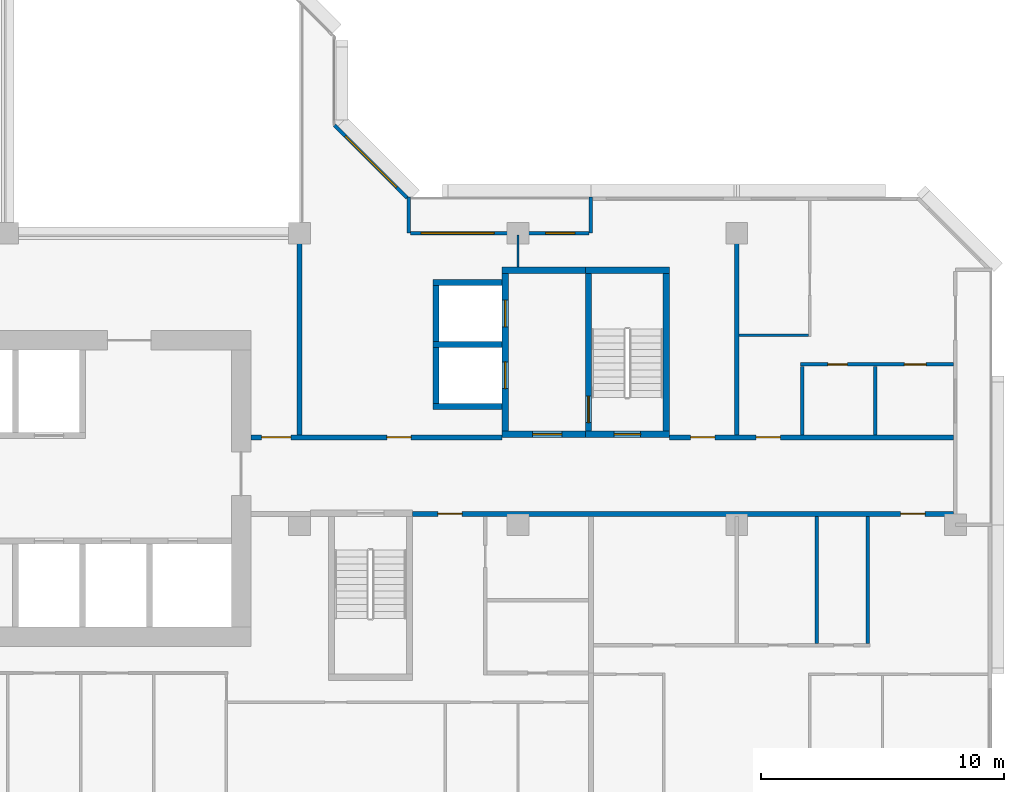
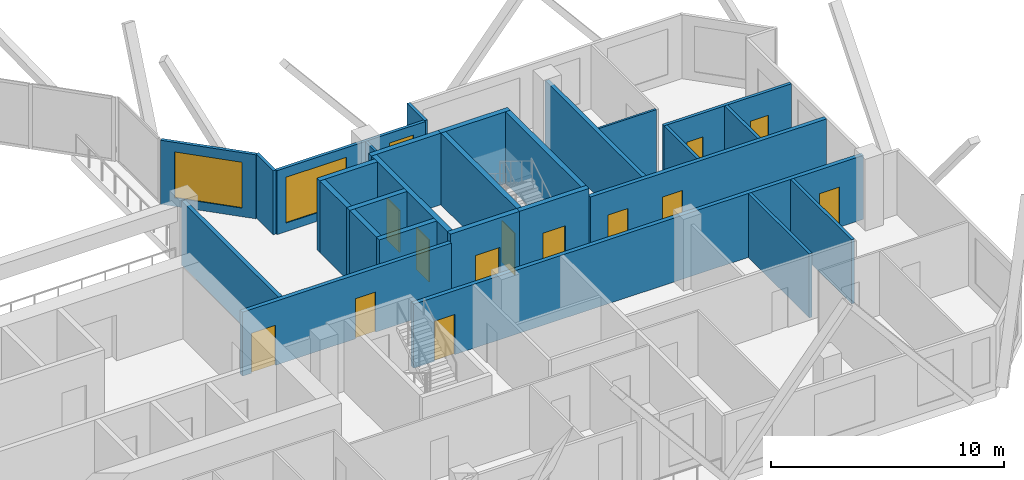
# One storey, part 7 of 14: 28 walls, 13 doors, 3 windows, 16 openings.
"""IFC4 building model written with IfcOpenShell, lengths in metres."""

from ifc_helpers import new_model, si_unit, direction, frame, frame_2d, origin, place, context, subcontext, project, spatial, rectangle, extrude, material, layer, layer_set, type_object, element, fill, save


model = new_model("IFC4")

# Units and contexts
model_context = context("Model", 3, precision=1e-05, world=origin(), true_north=direction((0.0, 1.0)))
body_context = subcontext(model_context, "Body", "Model", "MODEL_VIEW")
ifc_project = project(units=[si_unit("LENGTHUNIT", "METRE"), si_unit("AREAUNIT", "SQUARE_METRE"), si_unit("VOLUMEUNIT", "CUBIC_METRE"), si_unit("PLANEANGLEUNIT", "RADIAN"), si_unit("MASSUNIT", "GRAM", prefix="KILO")], contexts=[model_context])

# Site, building, storey
site_placement = place(None, origin())
site = spatial("IfcSite", under=ifc_project, at=site_placement, CompositionType="ELEMENT")
building_placement = place(site_placement, origin())
building = spatial("IfcBuilding", under=site, at=building_placement, Name="Chenar Terraces", CompositionType="ELEMENT")
storey_placement = place(building_placement, frame((0.0, 0.0, 179.89990234375)))
storey = spatial("IfcBuildingStorey", under=building, at=storey_placement, Name="L41", CompositionType="ELEMENT", Elevation=179.89990234375)

# Wall, opening, door
ifc_material_1 = material(Name="Concrete C60/75", Category="concrete")
ifc_layer_1 = layer(ifc_material_1, 0.25)
ifc_layer_set_1 = layer_set([ifc_layer_1], Name="Concrete C60/75")
wall_type_1 = type_object("IfcWallType", Name="Core wall 250 Concrete C60/75", PredefinedType="SHEAR", material=ifc_layer_set_1)
wall_1_placement = place(storey_placement, frame((47.77490234375, 15.72509765625, 0.0), z_axis=(0.0, 0.0, 1.0), x_axis=(1.0, 0.0, 0.0)))
wall_1 = element("IfcWall", 1, at=wall_1_placement, inside=storey, type_object=wall_type_1, Name="Core wall ST3_S L41", PredefinedType="SHEAR", context=body_context, shape_type="SweptSolid", body=[
    extrude(rectangle(XDim=3.4501953125, YDim=0.25, at=frame_2d((1.72509765625, 0.0))), origin(), (0.0, 0.0, 1.0), 3.75),
])
opening_1_placement = place(wall_1_placement, frame((1.175048828125, 0.0, 0.0)))
opening_1 = element("IfcOpeningElement", 2, at=opening_1_placement, cuts=wall_1, Name="Opening DL41-C8", PredefinedType="OPENING", context=body_context, shape_type="SweptSolid", body=[
    extrude(rectangle(XDim=1.10009765625, YDim=2.199951171875, at=frame_2d((0.550048828125, 1.10009765625))), frame((0.0, 0.135009765625, 0.0), z_axis=(0.0, -1.0, 0.0), x_axis=(1.0, 0.0, 0.0)), (0.0, 0.0, 1.0), 0.27001953125),
])
ifc_material_2 = material(Name="Steel-framed fire-resisting door leaf", Category="steel")
door_type_1 = type_object("IfcDoorType", Name="Stair fire door FD60 1100 x 2200", OperationType="SINGLE_SWING_LEFT", PredefinedType="DOOR", material=ifc_material_2)
door_1_placement = place(opening_1_placement, frame((1.10009765625, 0.0, 0.0), z_axis=(0.0, 0.0, 1.0), x_axis=(-1.0, 0.0, 0.0)))
door_1 = element("IfcDoor", 3, at=door_1_placement, inside=storey, type_object=door_type_1, Name="Stair door DL41-C8", OperationType="SINGLE_SWING_LEFT", OverallHeight=2.199951171875, OverallWidth=1.10009765625, PredefinedType="DOOR", context=body_context, shape_type="SweptSolid", body=[
    extrude(rectangle(XDim=1.10009765625, YDim=2.199951171875, at=frame_2d((0.550048828125, 1.10009765625))), frame((0.0, 0.02490234375, 0.0), z_axis=(0.0, -1.0, 0.0), x_axis=(1.0, 0.0, 0.0)), (0.0, 0.0, 1.0), 0.050048828125),
])
fill(opening_1, door_1)

# Wall
wall_2_placement = place(storey_placement, frame((47.77490234375, 22.47509765625, 0.0), z_axis=(0.0, 0.0, 1.0), x_axis=(1.0, 0.0, 0.0)))
element("IfcWall", 4, at=wall_2_placement, inside=storey, type_object=wall_type_1, Name="Core wall ST3_N L41", PredefinedType="SHEAR", context=body_context, shape_type="SweptSolid", body=[
    extrude(rectangle(XDim=3.4501953125, YDim=0.25, at=frame_2d((1.72509765625, 0.0))), origin(), (0.0, 0.0, 1.0), 3.75),
])

# Wall, opening, door
wall_3_placement = place(storey_placement, frame((47.89990234375, 15.85009765625, 0.0), z_axis=(0.0, 0.0, 1.0), x_axis=(0.0, 1.0, 0.0)))
wall_3 = element("IfcWall", 5, at=wall_3_placement, inside=storey, type_object=wall_type_1, Name="Core wall ST3_W L41", PredefinedType="SHEAR", context=body_context, shape_type="SweptSolid", body=[
    extrude(rectangle(XDim=6.5, YDim=0.25, at=frame_2d((3.25, 0.0))), origin(), (0.0, 0.0, 1.0), 3.75),
])
opening_2_placement = place(wall_3_placement, frame((0.35009765625, 0.0, 0.0)))
opening_2 = element("IfcOpeningElement", 6, at=opening_2_placement, cuts=wall_3, Name="Opening DL41-C11", PredefinedType="OPENING", context=body_context, shape_type="SweptSolid", body=[
    extrude(rectangle(XDim=1.10009765625, YDim=2.199951171875, at=frame_2d((0.550048828125, 1.10009765625))), frame((0.0, 0.135009765625, 0.0), z_axis=(0.0, -1.0, 0.0), x_axis=(1.0, 0.0, 0.0)), (0.0, 0.0, 1.0), 0.27001953125),
])
door_2_placement = place(opening_2_placement, frame((1.10009765625, 0.0, 0.0), z_axis=(0.0, 0.0, 1.0), x_axis=(-1.0, 0.0, 0.0)))
door_2 = element("IfcDoor", 7, at=door_2_placement, inside=storey, type_object=door_type_1, Name="Stair door DL41-C11", OperationType="SINGLE_SWING_RIGHT", OverallHeight=2.199951171875, OverallWidth=1.10009765625, PredefinedType="DOOR", context=body_context, shape_type="SweptSolid", body=[
    extrude(rectangle(XDim=1.10009765625, YDim=2.199951171875, at=frame_2d((0.550048828125, 1.10009765625))), frame((0.0, 0.02490234375, 0.0), z_axis=(0.0, -1.0, 0.0), x_axis=(1.0, 0.0, 0.0)), (0.0, 0.0, 1.0), 0.050048828125),
])
fill(opening_2, door_2)

# Wall
wall_4_placement = place(storey_placement, frame((51.10009765625, 15.85009765625, 0.0), z_axis=(0.0, 0.0, 1.0), x_axis=(0.0, 1.0, 0.0)))
element("IfcWall", 8, at=wall_4_placement, inside=storey, type_object=wall_type_1, Name="Core wall ST3_E L41", PredefinedType="SHEAR", context=body_context, shape_type="SweptSolid", body=[
    extrude(rectangle(XDim=6.5, YDim=0.25, at=frame_2d((3.25, 0.0))), origin(), (0.0, 0.0, 1.0), 3.75),
])

# Wall, opening, door
wall_5_placement = place(storey_placement, frame((44.35009765625, 15.72509765625, 0.0), z_axis=(0.0, 0.0, 1.0), x_axis=(1.0, 0.0, 0.0)))
wall_5 = element("IfcWall", 9, at=wall_5_placement, inside=storey, type_object=wall_type_1, Name="Core wall F3_LS L41", PredefinedType="SHEAR", context=body_context, shape_type="SweptSolid", body=[
    extrude(rectangle(XDim=3.4248046875, YDim=0.25, at=frame_2d((1.71240234375, 0.0))), origin(), (0.0, 0.0, 1.0), 3.75),
])
opening_3_placement = place(wall_5_placement, frame((1.25, 0.0, 0.0)))
opening_3 = element("IfcOpeningElement", 10, at=opening_3_placement, cuts=wall_5, Name="Opening DL41-C10", PredefinedType="OPENING", context=body_context, shape_type="SweptSolid", body=[
    extrude(rectangle(XDim=1.199951171875, YDim=2.199951171875, at=frame_2d((0.60009765625, 1.10009765625))), frame((0.0, 0.135009765625, 0.0), z_axis=(0.0, -1.0, 0.0), x_axis=(1.0, 0.0, 0.0)), (0.0, 0.0, 1.0), 0.27001953125),
])
ifc_material_3 = material(Name="Steel-framed fire-resisting door leaf", Category="steel")
door_type_2 = type_object("IfcDoorType", Name="Lobby fire door FD60 1200 x 2200", OperationType="SINGLE_SWING_LEFT", PredefinedType="DOOR", material=ifc_material_3)
door_3_placement = place(opening_3_placement, origin())
door_3 = element("IfcDoor", 11, at=door_3_placement, inside=storey, type_object=door_type_2, Name="Core door DL41-C10", OperationType="SINGLE_SWING_RIGHT", OverallHeight=2.199951171875, OverallWidth=1.199951171875, PredefinedType="DOOR", context=body_context, shape_type="SweptSolid", body=[
    extrude(rectangle(XDim=1.199951171875, YDim=2.199951171875, at=frame_2d((0.60009765625, 1.10009765625))), frame((0.0, 0.02490234375, 0.0), z_axis=(0.0, -1.0, 0.0), x_axis=(1.0, 0.0, 0.0)), (0.0, 0.0, 1.0), 0.050048828125),
])
fill(opening_3, door_3)

# Wall
wall_6_placement = place(storey_placement, frame((44.35009765625, 22.47509765625, 0.0), z_axis=(0.0, 0.0, 1.0), x_axis=(1.0, 0.0, 0.0)))
element("IfcWall", 12, at=wall_6_placement, inside=storey, type_object=wall_type_1, Name="Core wall F3_LN L41", PredefinedType="SHEAR", context=body_context, shape_type="SweptSolid", body=[
    extrude(rectangle(XDim=3.4248046875, YDim=0.25, at=frame_2d((1.71240234375, 0.0))), origin(), (0.0, 0.0, 1.0), 3.75),
])

# Wall, openings, doors
wall_7_placement = place(storey_placement, frame((44.47509765625, 15.85009765625, 0.0), z_axis=(0.0, 0.0, 1.0), x_axis=(0.0, 1.0, 0.0)))
wall_7 = element("IfcWall", 13, at=wall_7_placement, inside=storey, type_object=wall_type_1, Name="Core wall F3_LW L41", PredefinedType="SHEAR", context=body_context, shape_type="SweptSolid", body=[
    extrude(rectangle(XDim=6.5, YDim=0.25, at=frame_2d((3.25, 0.0))), origin(), (0.0, 0.0, 1.0), 3.75),
])
opening_4_placement = place(wall_7_placement, frame((1.75, 0.0, 0.0)))
opening_4 = element("IfcOpeningElement", 14, at=opening_4_placement, cuts=wall_7, Name="Opening DL41-LD8", PredefinedType="OPENING", context=body_context, shape_type="SweptSolid", body=[
    extrude(rectangle(XDim=1.10009765625, YDim=2.199951171875, at=frame_2d((0.550048828125, 1.10009765625))), frame((0.0, 0.135009765625, 0.0), z_axis=(0.0, -1.0, 0.0), x_axis=(1.0, 0.0, 0.0)), (0.0, 0.0, 1.0), 0.27001953125),
])
opening_5_placement = place(wall_7_placement, frame((4.300048828125, 0.0, 0.0)))
opening_5 = element("IfcOpeningElement", 15, at=opening_5_placement, cuts=wall_7, Name="Opening DL41-LD9", PredefinedType="OPENING", context=body_context, shape_type="SweptSolid", body=[
    extrude(rectangle(XDim=1.10009765625, YDim=2.199951171875, at=frame_2d((0.550048828125, 1.10009765625))), frame((0.0, 0.135009765625, 0.0), z_axis=(0.0, -1.0, 0.0), x_axis=(1.0, 0.0, 0.0)), (0.0, 0.0, 1.0), 0.27001953125),
])
ifc_material_4 = material(Name="Stainless steel", Category="steel")
door_type_3 = type_object("IfcDoorType", Name="Lift landing door 1100 x 2200 sliding", OperationType="DOUBLE_DOOR_SLIDING", PredefinedType="DOOR", material=ifc_material_4)
door_4_placement = place(opening_4_placement, origin())
door_4 = element("IfcDoor", 16, at=door_4_placement, inside=storey, type_object=door_type_3, Name="Landing door F3", OperationType="DOUBLE_DOOR_SLIDING", OverallHeight=2.199951171875, OverallWidth=1.10009765625, PredefinedType="DOOR", context=body_context, shape_type="SweptSolid", body=[
    extrude(rectangle(XDim=1.10009765625, YDim=2.199951171875, at=frame_2d((0.550048828125, 1.10009765625))), frame((0.0, 0.02490234375, 0.0), z_axis=(0.0, -1.0, 0.0), x_axis=(1.0, 0.0, 0.0)), (0.0, 0.0, 1.0), 0.050048828125),
])
fill(opening_4, door_4)
door_5_placement = place(opening_5_placement, origin())
door_5 = element("IfcDoor", 17, at=door_5_placement, inside=storey, type_object=door_type_3, Name="Landing door F4", OperationType="DOUBLE_DOOR_SLIDING", OverallHeight=2.199951171875, OverallWidth=1.10009765625, PredefinedType="DOOR", context=body_context, shape_type="SweptSolid", body=[
    extrude(rectangle(XDim=1.10009765625, YDim=2.199951171875, at=frame_2d((0.550048828125, 1.10009765625))), frame((0.0, 0.02490234375, 0.0), z_axis=(0.0, -1.0, 0.0), x_axis=(1.0, 0.0, 0.0)), (0.0, 0.0, 1.0), 0.050048828125),
])
fill(opening_5, door_5)

# Walls
for number, where, z_axis, x_axis, name in (
    (18, (41.5, 16.875, 0.0), (0.0, 0.0, 1.0), (1.0, 0.0, 0.0), "Core wall F3_SS L41"),
    (19, (41.5, 19.425048828125, 0.0), (0.0, 0.0, 1.0), (1.0, 0.0, 0.0), "Core wall F3_SM L41"),
    (20, (41.5, 21.97509765625, 0.0), (0.0, 0.0, 1.0), (1.0, 0.0, 0.0), "Core wall F4_SN L41"),
):
    element("IfcWall", number, at=place(storey_placement, frame(where, z_axis=z_axis, x_axis=x_axis)), inside=storey, type_object=wall_type_1, Name=name, PredefinedType="SHEAR", context=body_context, shape_type="SweptSolid", body=[
        extrude(rectangle(XDim=2.85009765625, YDim=0.25, at=frame_2d((1.425048828125, 0.0))), origin(), (0.0, 0.0, 1.0), 3.75),
    ])
for number, where, z_axis, x_axis, name in (
    (21, (41.625, 17.0, 0.0), (0.0, 0.0, 1.0), (0.0, 1.0, 0.0), "Core wall F3_SW L41"),
    (22, (41.625, 19.550048828125, 0.0), (0.0, 0.0, 1.0), (0.0, 1.0, 0.0), "Core wall F4_SW L41"),
):
    element("IfcWall", number, at=place(storey_placement, frame(where, z_axis=z_axis, x_axis=x_axis)), inside=storey, type_object=wall_type_1, Name=name, PredefinedType="SHEAR", context=body_context, shape_type="SweptSolid", body=[
        extrude(rectangle(XDim=2.300048828125, YDim=0.25, at=frame_2d((1.14990234375, 0.0))), origin(), (0.0, 0.0, 1.0), 3.75),
    ])

# Wall, openings, doors
ifc_material_5 = material(Name="Gypsum board on steel studs with fire boards", Category="steel")
ifc_layer_2 = layer(ifc_material_5, 0.199951171875)
ifc_layer_set_2 = layer_set([ifc_layer_2], Name="Gypsum board on steel studs with fire boards")
wall_type_2 = type_object("IfcWallType", Name="Corridor wall 200", PredefinedType="PARTITIONING", material=ifc_layer_set_2)
wall_8_placement = place(storey_placement, frame((34.0, 15.60009765625, 0.0), z_axis=(0.0, 0.0, 1.0), x_axis=(1.0, 0.0, 0.0)))
wall_8 = element("IfcWall", 23, at=wall_8_placement, inside=storey, type_object=wall_type_2, Name="Partition L41-060", PredefinedType="PARTITIONING", context=body_context, shape_type="SweptSolid", body=[
    extrude(rectangle(XDim=10.35009765625, YDim=0.199951171875, at=frame_2d((5.175048828125, 0.0))), origin(), (0.0, 0.0, 1.0), 3.35009765625),
])
opening_6_placement = place(wall_8_placement, frame((5.60009765625, 0.0, 0.0)))
opening_6 = element("IfcOpeningElement", 24, at=opening_6_placement, cuts=wall_8, Name="Opening DL41-3", PredefinedType="OPENING", context=body_context, shape_type="SweptSolid", body=[
    extrude(rectangle(XDim=1.0, YDim=2.10009765625, at=frame_2d((0.5, 1.050048828125))), frame((0.0, 0.10986328125, 0.0), z_axis=(0.0, -1.0, 0.0), x_axis=(1.0, 0.0, 0.0)), (0.0, 0.0, 1.0), 0.219970703125),
])
opening_7_placement = place(wall_8_placement, frame((0.449951171875, 0.0, 0.0)))
opening_7 = element("IfcOpeningElement", 25, at=opening_7_placement, cuts=wall_8, Name="Opening DL41-34", PredefinedType="OPENING", context=body_context, shape_type="SweptSolid", body=[
    extrude(rectangle(XDim=1.199951171875, YDim=2.10009765625, at=frame_2d((0.60009765625, 1.050048828125))), frame((0.0, 0.10986328125, 0.0), z_axis=(0.0, -1.0, 0.0), x_axis=(1.0, 0.0, 0.0)), (0.0, 0.0, 1.0), 0.219970703125),
])
ifc_material_6 = material(Name="Steel-framed fire-resisting door leaf", Category="steel")
door_type_4 = type_object("IfcDoorType", Name="Fire door FD60 1000 x 2100", OperationType="SINGLE_SWING_LEFT", PredefinedType="DOOR", material=ifc_material_6)
door_6_placement = place(opening_6_placement, origin())
door_6 = element("IfcDoor", 26, at=door_6_placement, inside=storey, type_object=door_type_4, Name="Door DL41-3", OperationType="SINGLE_SWING_RIGHT", OverallHeight=2.10009765625, OverallWidth=1.0, PredefinedType="DOOR", context=body_context, shape_type="SweptSolid", body=[
    extrude(rectangle(XDim=1.0, YDim=2.10009765625, at=frame_2d((0.5, 1.050048828125))), frame((0.0, 0.02490234375, 0.0), z_axis=(0.0, -1.0, 0.0), x_axis=(1.0, 0.0, 0.0)), (0.0, 0.0, 1.0), 0.050048828125),
])
fill(opening_6, door_6)
ifc_material_7 = material(Name="Steel-framed fire-resisting door leaf", Category="steel")
door_type_5 = type_object("IfcDoorType", Name="Fire door FD60 1200 x 2100", OperationType="SINGLE_SWING_LEFT", PredefinedType="DOOR", material=ifc_material_7)
door_7_placement = place(opening_7_placement, origin())
door_7 = element("IfcDoor", 27, at=door_7_placement, inside=storey, type_object=door_type_5, Name="Door DL41-34", OperationType="SINGLE_SWING_RIGHT", OverallHeight=2.10009765625, OverallWidth=1.199951171875, PredefinedType="DOOR", context=body_context, shape_type="SweptSolid", body=[
    extrude(rectangle(XDim=1.199951171875, YDim=2.10009765625, at=frame_2d((0.60009765625, 1.050048828125))), frame((0.0, 0.02490234375, 0.0), z_axis=(0.0, -1.0, 0.0), x_axis=(1.0, 0.0, 0.0)), (0.0, 0.0, 1.0), 0.050048828125),
])
fill(opening_7, door_7)

# Wall
wall_9_placement = place(storey_placement, frame((36.0, 15.699951171875, 0.0), z_axis=(0.0, 0.0, 1.0), x_axis=(0.0, 1.0, 0.0)))
element("IfcWall", 28, at=wall_9_placement, inside=storey, type_object=wall_type_2, Name="Partition L41-061", PredefinedType="PARTITIONING", context=body_context, shape_type="SweptSolid", body=[
    extrude(rectangle(XDim=8.300048828125, YDim=0.199951171875, at=frame_2d((4.14990234375, 0.0))), origin(), (0.0, 0.0, 1.0), 3.35009765625),
])

# Wall, openings, doors
wall_10_placement = place(storey_placement, frame((40.64990234375, 12.449951171875, 0.0), z_axis=(0.0, 0.0, 1.0), x_axis=(1.0, 0.0, 0.0)))
wall_10 = element("IfcWall", 29, at=wall_10_placement, inside=storey, type_object=wall_type_2, Name="Partition L41-062", PredefinedType="PARTITIONING", context=body_context, shape_type="SweptSolid", body=[
    extrude(rectangle(XDim=22.276123046875, YDim=0.199951171875, at=frame_2d((11.13818359375, 0.0))), origin(), (0.0, 0.0, 1.0), 3.35009765625),
])
opening_8_placement = place(wall_10_placement, frame((20.10009765625, 0.0, 0.0)))
opening_8 = element("IfcOpeningElement", 30, at=opening_8_placement, cuts=wall_10, Name="Opening DL41-12", PredefinedType="OPENING", context=body_context, shape_type="SweptSolid", body=[
    extrude(rectangle(XDim=1.0, YDim=2.10009765625, at=frame_2d((0.5, 1.050048828125))), frame((0.0, 0.10986328125, 0.0), z_axis=(0.0, -1.0, 0.0), x_axis=(1.0, 0.0, 0.0)), (0.0, 0.0, 1.0), 0.219970703125),
])
opening_9_placement = place(wall_10_placement, frame((1.050048828125, 0.0, 0.0)))
opening_9 = element("IfcOpeningElement", 31, at=opening_9_placement, cuts=wall_10, Name="Opening DL41-49", PredefinedType="OPENING", context=body_context, shape_type="SweptSolid", body=[
    extrude(rectangle(XDim=1.0, YDim=2.10009765625, at=frame_2d((0.5, 1.050048828125))), frame((0.0, 0.10986328125, 0.0), z_axis=(0.0, -1.0, 0.0), x_axis=(1.0, 0.0, 0.0)), (0.0, 0.0, 1.0), 0.219970703125),
])
ifc_material_8 = material(Name="Steel-framed fire-resisting door leaf", Category="steel")
door_type_6 = type_object("IfcDoorType", Name="Fire door FD30S 1000 x 2100", OperationType="SINGLE_SWING_LEFT", PredefinedType="DOOR", material=ifc_material_8)
door_8_placement = place(opening_8_placement, frame((1.0, 0.0, 0.0), z_axis=(0.0, 0.0, 1.0), x_axis=(-1.0, 0.0, 0.0)))
door_8 = element("IfcDoor", 32, at=door_8_placement, inside=storey, type_object=door_type_6, Name="Door DL41-12", OperationType="SINGLE_SWING_LEFT", OverallHeight=2.10009765625, OverallWidth=1.0, PredefinedType="DOOR", context=body_context, shape_type="SweptSolid", body=[
    extrude(rectangle(XDim=1.0, YDim=2.10009765625, at=frame_2d((0.5, 1.050048828125))), frame((0.0, 0.02490234375, 0.0), z_axis=(0.0, -1.0, 0.0), x_axis=(1.0, 0.0, 0.0)), (0.0, 0.0, 1.0), 0.050048828125),
])
fill(opening_8, door_8)
door_9_placement = place(opening_9_placement, origin())
door_9 = element("IfcDoor", 33, at=door_9_placement, inside=storey, type_object=door_type_6, Name="Door DL41-49", OperationType="SINGLE_SWING_LEFT", OverallHeight=2.10009765625, OverallWidth=1.0, PredefinedType="DOOR", context=body_context, shape_type="SweptSolid", body=[
    extrude(rectangle(XDim=1.0, YDim=2.10009765625, at=frame_2d((0.5, 1.050048828125))), frame((0.0, 0.02490234375, 0.0), z_axis=(0.0, -1.0, 0.0), x_axis=(1.0, 0.0, 0.0)), (0.0, 0.0, 1.0), 0.050048828125),
])
fill(opening_9, door_9)

wall_11_placement = place(storey_placement, frame((51.22509765625, 15.60009765625, 0.0), z_axis=(0.0, 0.0, 1.0), x_axis=(1.0, 0.0, 0.0)))
wall_11 = element("IfcWall", 34, at=wall_11_placement, inside=storey, type_object=wall_type_2, Name="Partition L41-074", PredefinedType="PARTITIONING", context=body_context, shape_type="SweptSolid", body=[
    extrude(rectangle(XDim=11.700927734375, YDim=0.199951171875, at=frame_2d((5.8505859375, 0.0))), origin(), (0.0, 0.0, 1.0), 3.35009765625),
])
opening_10_placement = place(wall_11_placement, frame((3.574951171875, 0.0, 0.0)))
opening_10 = element("IfcOpeningElement", 35, at=opening_10_placement, cuts=wall_11, Name="Opening DL41-7", PredefinedType="OPENING", context=body_context, shape_type="SweptSolid", body=[
    extrude(rectangle(XDim=1.0, YDim=2.10009765625, at=frame_2d((0.5, 1.050048828125))), frame((0.0, 0.10986328125, 0.0), z_axis=(0.0, -1.0, 0.0), x_axis=(1.0, 0.0, 0.0)), (0.0, 0.0, 1.0), 0.219970703125),
])
opening_11_placement = place(wall_11_placement, frame((0.875, 0.0, 0.0)))
opening_11 = element("IfcOpeningElement", 36, at=opening_11_placement, cuts=wall_11, Name="Opening DL41-38", PredefinedType="OPENING", context=body_context, shape_type="SweptSolid", body=[
    extrude(rectangle(XDim=1.0, YDim=2.10009765625, at=frame_2d((0.5, 1.050048828125))), frame((0.0, 0.10986328125, 0.0), z_axis=(0.0, -1.0, 0.0), x_axis=(1.0, 0.0, 0.0)), (0.0, 0.0, 1.0), 0.219970703125),
])
door_10_placement = place(opening_10_placement, origin())
door_10 = element("IfcDoor", 37, at=door_10_placement, inside=storey, type_object=door_type_6, Name="Door DL41-7", OperationType="SINGLE_SWING_LEFT", OverallHeight=2.10009765625, OverallWidth=1.0, PredefinedType="DOOR", context=body_context, shape_type="SweptSolid", body=[
    extrude(rectangle(XDim=1.0, YDim=2.10009765625, at=frame_2d((0.5, 1.050048828125))), frame((0.0, 0.02490234375, 0.0), z_axis=(0.0, -1.0, 0.0), x_axis=(1.0, 0.0, 0.0)), (0.0, 0.0, 1.0), 0.050048828125),
])
fill(opening_10, door_10)
door_11_placement = place(opening_11_placement, origin())
door_11 = element("IfcDoor", 38, at=door_11_placement, inside=storey, type_object=door_type_6, Name="Door DL41-38", OperationType="SINGLE_SWING_RIGHT", OverallHeight=2.10009765625, OverallWidth=1.0, PredefinedType="DOOR", context=body_context, shape_type="SweptSolid", body=[
    extrude(rectangle(XDim=1.0, YDim=2.10009765625, at=frame_2d((0.5, 1.050048828125))), frame((0.0, 0.02490234375, 0.0), z_axis=(0.0, -1.0, 0.0), x_axis=(1.0, 0.0, 0.0)), (0.0, 0.0, 1.0), 0.050048828125),
])
fill(opening_11, door_11)

# Wall, openings, windows
ifc_material_9 = material(Name="Aluminium framed glazing", Category="aluminium")
ifc_layer_3 = layer(ifc_material_9, 0.14990234375)
ifc_layer_set_3 = layer_set([ifc_layer_3], Name="Aluminium framed glazing")
wall_type_3 = type_object("IfcWallType", Name="Glazed loggia back wall 150", PredefinedType="SOLIDWALL", material=ifc_layer_set_3)
wall_12_placement = place(storey_placement, frame((47.925048828125, 24.0, 0.0), z_axis=(0.0, 0.0, 1.0), x_axis=(-1.0, 0.0, 0.0)))
wall_12 = element("IfcWall", 39, at=wall_12_placement, inside=storey, type_object=wall_type_3, Name="Glazed loggia back wall", PredefinedType="SOLIDWALL", context=body_context, shape_type="SweptSolid", body=[
    extrude(rectangle(XDim=7.35009765625, YDim=0.14990234375, at=frame_2d((3.675048828125, 0.0))), origin(), (0.0, 0.0, 1.0), 3.35009765625),
])
opening_12_placement = place(wall_12_placement, frame((0.58740234375, 0.0, 0.449951171875)))
opening_12 = element("IfcOpeningElement", 40, at=opening_12_placement, cuts=wall_12, Name="Opening W120x240", PredefinedType="OPENING", context=body_context, shape_type="SweptSolid", body=[
    extrude(rectangle(XDim=1.199951171875, YDim=2.39990234375, at=frame_2d((0.60009765625, 1.199951171875))), frame((0.0, 0.0849609375, 0.0), z_axis=(0.0, -1.0, 0.0), x_axis=(1.0, 0.0, 0.0)), (0.0, 0.0, 1.0), 0.169921875),
])
opening_13_placement = place(wall_12_placement, frame((3.91259765625, 0.0, 0.449951171875)))
opening_13 = element("IfcOpeningElement", 41, at=opening_13_placement, cuts=wall_12, Name="Opening W300x240", PredefinedType="OPENING", context=body_context, shape_type="SweptSolid", body=[
    extrude(rectangle(XDim=3.0, YDim=2.39990234375, at=frame_2d((1.5, 1.199951171875))), frame((0.0, 0.0849609375, 0.0), z_axis=(0.0, -1.0, 0.0), x_axis=(1.0, 0.0, 0.0)), (0.0, 0.0, 1.0), 0.169921875),
])
ifc_material_10 = material(Name="Low emissivity double glazing, aluminium frame", Category="aluminium")
window_type_1 = type_object("IfcWindowType", Name="Fixed light 1200 x 2400", PartitioningType="SINGLE_PANEL", PredefinedType="WINDOW", material=ifc_material_10)
window_1_placement = place(opening_12_placement, origin())
window_1 = element("IfcWindow", 42, at=window_1_placement, inside=storey, type_object=window_type_1, Name="Window", OverallHeight=2.39990234375, OverallWidth=1.199951171875, PartitioningType="SINGLE_PANEL", PredefinedType="WINDOW", context=body_context, shape_type="SweptSolid", body=[
    extrude(rectangle(XDim=1.199951171875, YDim=2.39990234375, at=frame_2d((0.60009765625, 1.199951171875))), frame((0.0, 0.030029296875, 0.0), z_axis=(0.0, -1.0, 0.0), x_axis=(1.0, 0.0, 0.0)), (0.0, 0.0, 1.0), 0.06005859375),
])
fill(opening_12, window_1)
ifc_material_11 = material(Name="Low emissivity double glazing, aluminium frame", Category="aluminium")
window_type_2 = type_object("IfcWindowType", Name="Fixed light 3000 x 2400", PartitioningType="SINGLE_PANEL", PredefinedType="WINDOW", material=ifc_material_11)
window_2_placement = place(opening_13_placement, origin())
window_2 = element("IfcWindow", 43, at=window_2_placement, inside=storey, type_object=window_type_2, Name="Window", OverallHeight=2.39990234375, OverallWidth=3.0, PartitioningType="SINGLE_PANEL", PredefinedType="WINDOW", context=body_context, shape_type="SweptSolid", body=[
    extrude(rectangle(XDim=3.0, YDim=2.39990234375, at=frame_2d((1.5, 1.199951171875))), frame((0.0, 0.030029296875, 0.0), z_axis=(0.0, -1.0, 0.0), x_axis=(1.0, 0.0, 0.0)), (0.0, 0.0, 1.0), 0.06005859375),
])
fill(opening_13, window_2)

# Walls
ifc_material_12 = material(Name="Gypsum board on steel studs", Category="steel")
ifc_layer_4 = layer(ifc_material_12, 0.10009765625)
ifc_layer_set_4 = layer_set([ifc_layer_4], Name="Gypsum board on steel studs")
wall_type_4 = type_object("IfcWallType", Name="Gypsum partition 100", PredefinedType="PARTITIONING", material=ifc_layer_set_4)
wall_13_placement = place(storey_placement, frame((45.0, 22.60009765625, 0.0), z_axis=(0.0, 0.0, 1.0), x_axis=(0.0, 1.0, 0.0)))
element("IfcWall", 44, at=wall_13_placement, inside=storey, type_object=wall_type_4, Name="Partition L41-068", PredefinedType="PARTITIONING", context=body_context, shape_type="SweptSolid", body=[
    extrude(rectangle(XDim=1.325927734375, YDim=0.10009765625, at=frame_2d((0.6630859375, 0.0))), origin(), (0.0, 0.0, 1.0), 3.35009765625),
])
wall_14_placement = place(storey_placement, frame((54.10009765625, 19.800048828125, 0.0), z_axis=(0.0, 0.0, 1.0), x_axis=(1.0, 0.0, 0.0)))
element("IfcWall", 45, at=wall_14_placement, inside=storey, type_object=wall_type_4, Name="Partition L41-077", PredefinedType="PARTITIONING", context=body_context, shape_type="SweptSolid", body=[
    extrude(rectangle(XDim=2.849853515625, YDim=0.10009765625, at=frame_2d((1.4248046875, 0.0))), origin(), (0.0, 0.0, 1.0), 3.35009765625),
])
ifc_material_13 = material(Name="Terracotta cladding on insulated backing", Category="masonry")
ifc_layer_5 = layer(ifc_material_13, 0.14990234375)
ifc_layer_set_5 = layer_set([ifc_layer_5], Name="Terracotta cladding on insulated backing")
wall_type_5 = type_object("IfcWallType", Name="Loggia return wall 150", PredefinedType="SOLIDWALL", material=ifc_layer_set_5)
for number, where, z_axis, x_axis, name in (
    (46, (48.0, 25.5, 0.0), (0.0, 0.0, 1.0), (0.0, -1.0, 0.0), "Loggia return wall"),
    (47, (40.5, 25.5, 0.0), (0.0, 0.0, 1.0), (0.0, -1.0, 0.0), "Loggia return wall"),
):
    element("IfcWall", number, at=place(storey_placement, frame(where, z_axis=z_axis, x_axis=x_axis)), inside=storey, type_object=wall_type_5, Name=name, PredefinedType="SOLIDWALL", context=body_context, shape_type="SweptSolid", body=[
        extrude(rectangle(XDim=1.5, YDim=0.14990234375, at=frame_2d((0.75, 0.0))), origin(), (0.0, 0.0, 1.0), 3.35009765625),
    ])

# Wall, opening, window
ifc_material_14 = material(Name="Terracotta cladding on insulated backing", Category="masonry")
ifc_layer_6 = layer(ifc_material_14, 0.14990234375)
ifc_layer_set_6 = layer_set([ifc_layer_6], Name="Terracotta cladding on insulated backing")
wall_type_6 = type_object("IfcWallType", Name="Terracotta rainscreen wall 150", PredefinedType="SOLIDWALL", material=ifc_layer_set_6)
wall_15_placement = place(storey_placement, frame((40.447021484375, 25.447021484375, 0.0), z_axis=(0.0, 0.0, 1.0), x_axis=(-0.707106781187, 0.707106781187, 0.0)))
wall_15 = element("IfcWall", 48, at=wall_15_placement, inside=storey, type_object=wall_type_6, Name="Terracotta rainscreen wall", PredefinedType="SOLIDWALL", context=body_context, shape_type="SweptSolid", body=[
    extrude(rectangle(XDim=4.24267578125, YDim=0.14990234375, at=frame_2d((2.121337890625, 0.0))), origin(), (0.0, 0.0, 1.0), 3.35009765625),
])
opening_14_placement = place(wall_15_placement, frame((0.621337890625, 0.0, 0.449951171875)))
opening_14 = element("IfcOpeningElement", 49, at=opening_14_placement, cuts=wall_15, Name="Opening W300x240", PredefinedType="OPENING", context=body_context, shape_type="SweptSolid", body=[
    extrude(rectangle(XDim=3.0, YDim=2.39990234375, at=frame_2d((1.5, 1.199951171875))), frame((0.0, 0.0849609375, 0.0), z_axis=(0.0, -1.0, 0.0), x_axis=(1.0, 0.0, 0.0)), (0.0, 0.0, 1.0), 0.169921875),
])
window_3_placement = place(opening_14_placement, origin())
window_3 = element("IfcWindow", 50, at=window_3_placement, inside=storey, type_object=window_type_2, Name="Window", OverallHeight=2.39990234375, OverallWidth=3.0, PartitioningType="SINGLE_PANEL", PredefinedType="WINDOW", context=body_context, shape_type="SweptSolid", body=[
    extrude(rectangle(XDim=3.0, YDim=2.39990234375, at=frame_2d((1.5, 1.199951171875))), frame((0.0, 0.030029296875, 0.0), z_axis=(0.0, -1.0, 0.0), x_axis=(1.0, 0.0, 0.0)), (0.0, 0.0, 1.0), 0.06005859375),
])
fill(opening_14, window_3)

# Wall
ifc_material_15 = material(Name="Twin gypsum board on steel studs with mineral wool", Category="steel")
ifc_layer_7 = layer(ifc_material_15, 0.199951171875)
ifc_layer_set_7 = layer_set([ifc_layer_7], Name="Twin gypsum board on steel studs with mineral wool")
wall_type_7 = type_object("IfcWallType", Name="Unit demising wall 200", PredefinedType="PARTITIONING", material=ifc_layer_set_7)
wall_16_placement = place(storey_placement, frame((54.0, 15.699951171875, 0.0), z_axis=(0.0, 0.0, 1.0), x_axis=(0.0, 1.0, 0.0)))
element("IfcWall", 51, at=wall_16_placement, inside=storey, type_object=wall_type_7, Name="Partition L41-076", PredefinedType="PARTITIONING", context=body_context, shape_type="SweptSolid", body=[
    extrude(rectangle(XDim=8.300048828125, YDim=0.199951171875, at=frame_2d((4.14990234375, 0.0))), origin(), (0.0, 0.0, 1.0), 3.35009765625),
])

# Wall, openings, doors
ifc_material_16 = material(Name="Moisture-resistant gypsum board on steel studs", Category="steel")
ifc_layer_8 = layer(ifc_material_16, 0.14990234375)
ifc_layer_set_8 = layer_set([ifc_layer_8], Name="Moisture-resistant gypsum board on steel studs")
wall_type_8 = type_object("IfcWallType", Name="Wet-room partition 150", PredefinedType="PARTITIONING", material=ifc_layer_set_8)
wall_17_placement = place(storey_placement, frame((56.625, 18.60009765625, 0.0), z_axis=(0.0, 0.0, 1.0), x_axis=(1.0, 0.0, 0.0)))
wall_17 = element("IfcWall", 52, at=wall_17_placement, inside=storey, type_object=wall_type_8, Name="Partition L41-078", PredefinedType="PARTITIONING", context=body_context, shape_type="SweptSolid", body=[
    extrude(rectangle(XDim=6.301025390625, YDim=0.14990234375, at=frame_2d((3.150390625, 0.0))), origin(), (0.0, 0.0, 1.0), 3.35009765625),
])
opening_15_placement = place(wall_17_placement, frame((1.125, 0.0, 0.0)))
opening_15 = element("IfcOpeningElement", 53, at=opening_15_placement, cuts=wall_17, Name="Opening DL41-4", PredefinedType="OPENING", context=body_context, shape_type="SweptSolid", body=[
    extrude(rectangle(XDim=0.800048828125, YDim=2.10009765625, at=frame_2d((0.39990234375, 1.050048828125))), frame((0.0, 0.0849609375, 0.0), z_axis=(0.0, -1.0, 0.0), x_axis=(1.0, 0.0, 0.0)), (0.0, 0.0, 1.0), 0.169921875),
])
opening_16_placement = place(wall_17_placement, frame((4.27490234375, 0.0, 0.0)))
opening_16 = element("IfcOpeningElement", 54, at=opening_16_placement, cuts=wall_17, Name="Opening DL41-6", PredefinedType="OPENING", context=body_context, shape_type="SweptSolid", body=[
    extrude(rectangle(XDim=0.89990234375, YDim=2.10009765625, at=frame_2d((0.449951171875, 1.050048828125))), frame((0.0, 0.0849609375, 0.0), z_axis=(0.0, -1.0, 0.0), x_axis=(1.0, 0.0, 0.0)), (0.0, 0.0, 1.0), 0.169921875),
])
ifc_material_17 = material(Name="Veneered timber door leaf", Category="wood")
door_type_7 = type_object("IfcDoorType", Name="Door 800 x 2100", OperationType="SINGLE_SWING_LEFT", PredefinedType="DOOR", material=ifc_material_17)
door_12_placement = place(opening_15_placement, frame((0.800048828125, 0.0, 0.0), z_axis=(0.0, 0.0, 1.0), x_axis=(-1.0, 0.0, 0.0)))
door_12 = element("IfcDoor", 55, at=door_12_placement, inside=storey, type_object=door_type_7, Name="Door DL41-4", OperationType="SINGLE_SWING_RIGHT", OverallHeight=2.10009765625, OverallWidth=0.800048828125, PredefinedType="DOOR", context=body_context, shape_type="SweptSolid", body=[
    extrude(rectangle(XDim=0.800048828125, YDim=2.10009765625, at=frame_2d((0.39990234375, 1.050048828125))), frame((0.0, 0.02490234375, 0.0), z_axis=(0.0, -1.0, 0.0), x_axis=(1.0, 0.0, 0.0)), (0.0, 0.0, 1.0), 0.050048828125),
])
fill(opening_15, door_12)
ifc_material_18 = material(Name="Veneered timber door leaf", Category="wood")
door_type_8 = type_object("IfcDoorType", Name="Door 900 x 2100", OperationType="SINGLE_SWING_LEFT", PredefinedType="DOOR", material=ifc_material_18)
door_13_placement = place(opening_16_placement, frame((0.89990234375, 0.0, 0.0), z_axis=(0.0, 0.0, 1.0), x_axis=(-1.0, 0.0, 0.0)))
door_13 = element("IfcDoor", 56, at=door_13_placement, inside=storey, type_object=door_type_8, Name="Door DL41-6", OperationType="SINGLE_SWING_RIGHT", OverallHeight=2.10009765625, OverallWidth=0.89990234375, PredefinedType="DOOR", context=body_context, shape_type="SweptSolid", body=[
    extrude(rectangle(XDim=0.89990234375, YDim=2.10009765625, at=frame_2d((0.449951171875, 1.050048828125))), frame((0.0, 0.02490234375, 0.0), z_axis=(0.0, -1.0, 0.0), x_axis=(1.0, 0.0, 0.0)), (0.0, 0.0, 1.0), 0.050048828125),
])
fill(opening_16, door_13)

# Walls
wall_18_placement = place(storey_placement, frame((56.699951171875, 15.699951171875, 0.0), z_axis=(0.0, 0.0, 1.0), x_axis=(0.0, 1.0, 0.0)))
element("IfcWall", 57, at=wall_18_placement, inside=storey, type_object=wall_type_8, Name="Partition L41-079", PredefinedType="PARTITIONING", context=body_context, shape_type="SweptSolid", body=[
    extrude(rectangle(XDim=2.824951171875, YDim=0.14990234375, at=frame_2d((1.41259765625, 0.0))), origin(), (0.0, 0.0, 1.0), 3.35009765625),
])
for number, where, z_axis, x_axis, name in (
    (58, (57.300048828125, 7.125, 0.0), (0.0, 0.0, 1.0), (0.0, 1.0, 0.0), "Partition L41-083"),
    (59, (59.39990234375, 7.125, 0.0), (0.0, 0.0, 1.0), (0.0, 1.0, 0.0), "Partition L41-084"),
):
    element("IfcWall", number, at=place(storey_placement, frame(where, z_axis=z_axis, x_axis=x_axis)), inside=storey, type_object=wall_type_8, Name=name, PredefinedType="PARTITIONING", context=body_context, shape_type="SweptSolid", body=[
        extrude(rectangle(XDim=5.22509765625, YDim=0.14990234375, at=frame_2d((2.612548828125, 0.0))), origin(), (0.0, 0.0, 1.0), 3.35009765625),
    ])
wall_19_placement = place(storey_placement, frame((59.699951171875, 15.699951171875, 0.0), z_axis=(0.0, 0.0, 1.0), x_axis=(0.0, 1.0, 0.0)))
element("IfcWall", 60, at=wall_19_placement, inside=storey, type_object=wall_type_8, Name="Partition L41-085", PredefinedType="PARTITIONING", context=body_context, shape_type="SweptSolid", body=[
    extrude(rectangle(XDim=2.824951171875, YDim=0.14990234375, at=frame_2d((1.41259765625, 0.0))), origin(), (0.0, 0.0, 1.0), 3.35009765625),
])

save(model, "model.ifc")
